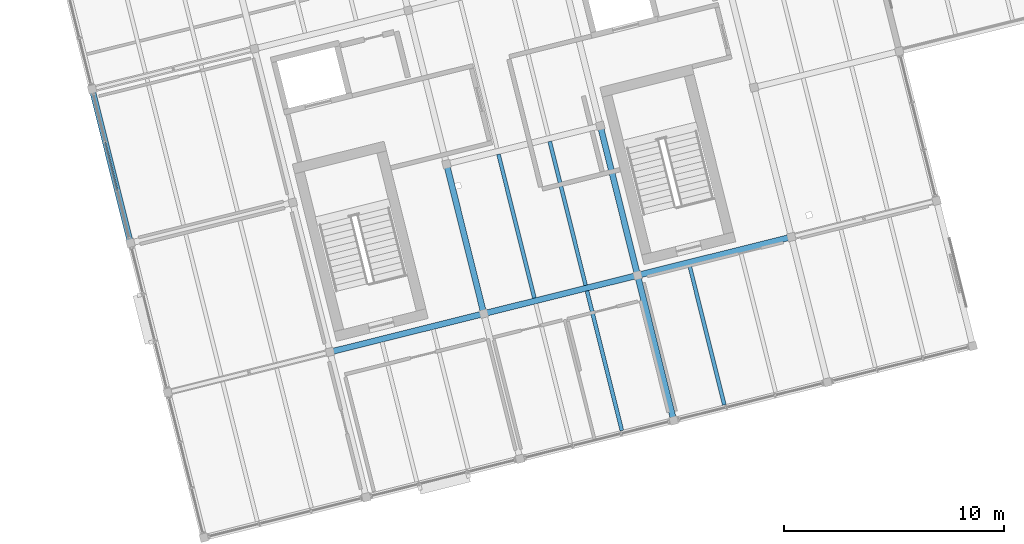
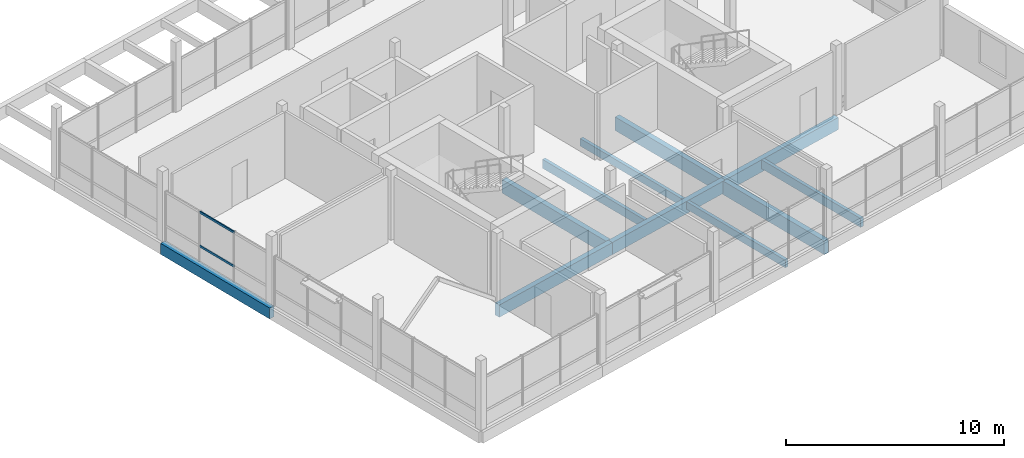
# One storey, part 7 of 28: 11 beams, 2 members, 1 element without a shape of its own.
"""IFC4 building model written with IfcOpenShell, lengths in metres."""

import ifcopenshell
import ifcopenshell.guid

model = None  # the IFC model being written
_history = None  # IfcOwnerHistory: only IFC2X3 demands one
_inside = {}  # id of a spatial element -> (the spatial element, [elements in it])
_under = {}  # id of a project, library or spatial element -> (it, [spatial elements below it])
_declared = {}  # id of a project -> (the project, [libraries it declares])
_typed = {}  # id of a type object -> (the type object, [elements of that type])
_made_of = {}  # id of a material, layer set ... -> (it, [elements and type objects made of it])


def new_model(schema):
    """Start an empty IFC model of exactly this schema.

    Asked for "IFC4X3", IfcOpenShell would pick the latest addendum, in which some entities
    have other attributes; the version numbers below select the first issue.
    IFC2X3 requires an IfcOwnerHistory on every rooted entity: one is made here for all.
    """
    global model, _history
    if schema == "IFC4X3":
        model = ifcopenshell.file(schema_version=(4, 3, 0, 0))
    else:
        model = ifcopenshell.file(schema=schema)
    _inside.clear()
    _under.clear()
    _declared.clear()
    _typed.clear()
    _made_of.clear()
    _history = None
    if model.schema == "IFC2X3":
        org = make("IfcOrganization", Name="unknown")
        user = make(
            "IfcPersonAndOrganization",
            ThePerson=make("IfcPerson", FamilyName="unknown"),
            TheOrganization=org,
        )
        app = make(
            "IfcApplication",
            ApplicationDeveloper=org,
            Version="unknown",
            ApplicationFullName="unknown",
            ApplicationIdentifier="unknown",
        )
        _history = make(
            "IfcOwnerHistory",
            OwningUser=user,
            OwningApplication=app,
            ChangeAction="ADDED",
            CreationDate=0,
        )
    return model


def make(cls, **values):
    """One entity of the class cls with the attributes given. An attribute that is None is left unset."""
    return model.create_entity(
        cls, **{name: value for name, value in values.items() if value is not None}
    )


def rooted(cls, **values):
    """An entity with a GlobalId (a new one), such as an element, a storey or a relation."""
    return make(cls, GlobalId=ifcopenshell.guid.new(), OwnerHistory=_history, **values)


def si_unit(unit_type, name, prefix=None):
    """IfcSIUnit, for example si_unit("LENGTHUNIT", "METRE", prefix="MILLI")."""
    return make("IfcSIUnit", UnitType=unit_type, Prefix=prefix, Name=name)


def assignment(units):
    """IfcUnitAssignment: the units of a project."""
    return None if units is None else make("IfcUnitAssignment", Units=units)


def point(xyz):
    """IfcCartesianPoint."""
    return None if xyz is None else make("IfcCartesianPoint", Coordinates=xyz)


def direction(xyz):
    """IfcDirection."""
    return None if xyz is None else make("IfcDirection", DirectionRatios=xyz)


def frame(location, z_axis=None, x_axis=None):
    """IfcAxis2Placement3D, a coordinate frame: its origin and axes. An axis left out is left unset."""
    return make(
        "IfcAxis2Placement3D",
        Location=point(location),
        Axis=direction(z_axis),
        RefDirection=direction(x_axis),
    )


def frame_2d(location, x_axis=None):
    """IfcAxis2Placement2D, a coordinate frame in the plane: its origin and x axis."""
    return make(
        "IfcAxis2Placement2D", Location=point(location), RefDirection=direction(x_axis)
    )


def origin():
    """The frame at (0, 0, 0) with its axes left unset."""
    return frame((0.0, 0.0, 0.0))


def origin_2d():
    """The frame at (0, 0) in the plane with its x axis left unset."""
    return frame_2d((0.0, 0.0))


def place(relative_to, where):
    """IfcLocalPlacement: puts the frame where relative to a parent placement (None: the world)."""
    return make(
        "IfcLocalPlacement", PlacementRelTo=relative_to, RelativePlacement=where
    )


def context(
    kind, dimensions, precision=None, world=None, true_north=None, identifier=None
):
    """IfcGeometricRepresentationContext, for example the 3D "Model" context."""
    return make(
        "IfcGeometricRepresentationContext",
        ContextIdentifier=identifier,
        ContextType=kind,
        CoordinateSpaceDimension=dimensions,
        Precision=precision,
        WorldCoordinateSystem=world,
        TrueNorth=true_north,
    )


def subcontext(parent, identifier, kind, view, scale=None):
    """IfcGeometricRepresentationSubContext, for example "Body" below "Model"."""
    return make(
        "IfcGeometricRepresentationSubContext",
        ContextIdentifier=identifier,
        ContextType=kind,
        ParentContext=parent,
        TargetScale=scale,
        TargetView=view,
    )


def project(units=None, contexts=None):
    """IfcProject with its units and contexts."""
    return rooted(
        "IfcProject",
        Name="project",
        RepresentationContexts=contexts,
        UnitsInContext=assignment(units),
    )


def spatial(cls, under=None, at=None, **own):
    """A site, building, storey or space (cls), placed at a placement, below another one or the project."""
    s = rooted(cls, ObjectPlacement=at, **own)
    if under is not None:
        _under.setdefault(under.id(), (under, []))[1].append(s)
    return s


def profile(cls, at=None, kind="AREA", **sizes):
    """A parametric profile (cls). Its sizes go by their IFC names, for example OverallWidth=200.0."""
    return make(cls, ProfileType=kind, Position=at, **sizes)


def rectangle(**sizes):
    """IfcRectangleProfileDef."""
    return profile("IfcRectangleProfileDef", **sizes)


def hollow_rectangle(**sizes):
    """IfcRectangleHollowProfileDef."""
    return profile("IfcRectangleHollowProfileDef", **sizes)


def extrude(swept, where, along, depth):
    """IfcExtrudedAreaSolid: the profile swept, set in the frame where, extruded along a direction by depth."""
    return make(
        "IfcExtrudedAreaSolid",
        SweptArea=swept,
        Position=where,
        ExtrudedDirection=direction(along),
        Depth=depth,
    )


def shape(context_of_items, identifier, shape_type, items):
    """IfcShapeRepresentation: the items that make up one representation, for example the "Body"."""
    return make(
        "IfcShapeRepresentation",
        ContextOfItems=context_of_items,
        RepresentationIdentifier=identifier,
        RepresentationType=shape_type,
        Items=items,
    )


def material(Name=None, Category=None):
    """IfcMaterial."""
    return make("IfcMaterial", Name=Name, Category=Category)


def layer(
    of_material, thickness, ventilated=None, Name=None, Category=None, Priority=None
):
    """IfcMaterialLayer: one layer of a wall or slab, of a material (None: an air gap)."""
    return make(
        "IfcMaterialLayer",
        Material=of_material,
        LayerThickness=thickness,
        IsVentilated=ventilated,
        Name=Name,
        Category=Category,
        Priority=Priority,
    )


def layer_set(layers, Name=None):
    """IfcMaterialLayerSet."""
    return make("IfcMaterialLayerSet", MaterialLayers=layers, LayerSetName=Name)


def material_profile(
    of_material, cross_section, Name=None, Category=None, Priority=None
):
    """IfcMaterialProfile: a cross section and its material."""
    return make(
        "IfcMaterialProfile",
        Name=Name,
        Material=of_material,
        Profile=cross_section,
        Priority=Priority,
        Category=Category,
    )


def profile_set(profiles, Name=None, composite=None):
    """IfcMaterialProfileSet."""
    return make(
        "IfcMaterialProfileSet",
        Name=Name,
        MaterialProfiles=profiles,
        CompositeProfile=composite,
    )


def made_of(thing, what):
    """Note that an element or type object is made of a material, layer set ...; save() writes the relation."""
    if what is not None:
        _made_of.setdefault(what.id(), (what, []))[1].append(thing)
    return thing


def type_object(cls, material=None, **own):
    """A type object (cls), such as IfcWallType, which elements share."""
    return made_of(rooted(cls, **own), material)


def element(
    cls,
    number,
    at=None,
    inside=None,
    cuts=None,
    type_object=None,
    material=None,
    context=None,
    identifier="Body",
    shape_type=None,
    held_by="IfcProductDefinitionShape",
    body=None,
    shapes=None,
    **own,
):
    """One element of the class cls, such as IfcWall. Its Tag is "e" and its number.

    at: its placement. inside: the storey or other place that contains it. cuts: it is an
    opening in that element (IfcRelVoidsElement). A single representation is given by context,
    identifier, shape_type and body (its items); several are given by shapes. held_by: the class
    of the entity that holds the representations. save() writes the other relations.
    """
    e = rooted(cls, Tag="e%d" % number, ObjectPlacement=at, **own)
    if body is not None:
        shapes = [shape(context, identifier, shape_type, body)]
    if shapes is not None:
        e.Representation = make(held_by, Representations=shapes)
    if inside is not None:
        _inside.setdefault(inside.id(), (inside, []))[1].append(e)
    if cuts is not None:
        rooted(
            "IfcRelVoidsElement", RelatingBuildingElement=cuts, RelatedOpeningElement=e
        )
    if type_object is not None:
        _typed.setdefault(type_object.id(), (type_object, []))[1].append(e)
    return made_of(e, material)


def aggregate(whole, parts):
    """IfcRelAggregates: a whole, such as a stair, and the parts it consists of."""
    return rooted("IfcRelAggregates", RelatingObject=whole, RelatedObjects=parts)


def save(model, path):
    """Write the relations noted so far, then the file.

    IfcRelAggregates (storeys below a building ...), IfcRelContainedInSpatialStructure (elements
    in a storey), IfcRelDefinesByType, IfcRelAssociatesMaterial and IfcRelDeclares: one each for
    every whole, place, type object, material and project.
    """
    for whole, parts in _under.values():
        aggregate(whole, parts)
    for where, things in _inside.values():
        rooted(
            "IfcRelContainedInSpatialStructure",
            RelatedElements=things,
            RelatingStructure=where,
        )
    for kind, things in _typed.values():
        rooted("IfcRelDefinesByType", RelatedObjects=things, RelatingType=kind)
    for what, things in _made_of.values():
        rooted("IfcRelAssociatesMaterial", RelatedObjects=things, RelatingMaterial=what)
    for by, libraries in _declared.values():
        rooted("IfcRelDeclares", RelatingContext=by, RelatedDefinitions=libraries)
    model.write(path)


model = new_model("IFC4")

# Units and contexts
model_context = context("Model", 3, precision=1e-05, world=origin(), true_north=direction((0.0, 1.0)))
body_context = subcontext(model_context, "Body", "Model", "MODEL_VIEW")
ifc_project = project(units=[si_unit("LENGTHUNIT", "METRE"), si_unit("AREAUNIT", "SQUARE_METRE"), si_unit("VOLUMEUNIT", "CUBIC_METRE"), si_unit("PLANEANGLEUNIT", "RADIAN"), si_unit("MASSUNIT", "GRAM", prefix="KILO")], contexts=[model_context])

# Site, building, storey
site_placement = place(None, origin())
site = spatial("IfcSite", under=ifc_project, at=site_placement, CompositionType="ELEMENT")
building_placement = place(site_placement, origin())
building = spatial("IfcBuilding", under=site, at=building_placement, Name="Meriwether Solvik Hall", CompositionType="ELEMENT")
storey_placement = place(building_placement, frame((0.0, 0.0, 45.60009765625)))
storey = spatial("IfcBuildingStorey", under=building, at=storey_placement, Name="L11", CompositionType="ELEMENT", Elevation=45.60009765625)

# Beams
ifc_material_1 = material(Name="Glulam Douglas-Fir 24F-V8 GL28h", Category="wood")
ifc_material_profile_1 = material_profile(ifc_material_1, rectangle(XDim=0.27294921875, YDim=0.610107421875, at=origin_2d()), Name="GLB-273X610")
ifc_profile_set_1 = profile_set([ifc_material_profile_1], Name="Glulam Douglas-Fir 24F-V8 GL28h")
beam_type_1 = type_object("IfcBeamType", Name="BM-GL-273X610", PredefinedType="SPANDREL", material=ifc_profile_set_1)
beam_1_placement = place(storey_placement, frame((65.261474609375, 54.590087890625, -0.505126953125), z_axis=(-0.241937193493, 0.970291911955, 0.0), x_axis=(-0.970291911955, -0.241937193493, 0.0)))
element("IfcBeam", 1, at=beam_1_placement, inside=storey, type_object=beam_type_1, Name="Tower Girder T1:TC-TD (L11)", PredefinedType="SPANDREL", context=body_context, shape_type="SweptSolid", body=[
    extrude(rectangle(XDim=0.27294921875, YDim=0.610107421875, at=origin_2d()), origin(), (0.0, 0.0, 1.0), 7.199951171875),
])
ifc_material_2 = material(Name="Glulam Douglas-Fir 24F-V8 GL28h", Category="wood")
ifc_material_profile_2 = material_profile(ifc_material_2, rectangle(XDim=0.27294921875, YDim=0.68505859375, at=origin_2d()), Name="GLB-273X685")
ifc_profile_set_2 = profile_set([ifc_material_profile_2], Name="Glulam Douglas-Fir 24F-V8 GL28h")
beam_type_2 = type_object("IfcBeamType", Name="BM-GL-273X685", PredefinedType="BEAM", material=ifc_profile_set_2)
beam_2_placement = place(storey_placement, frame((74.3291015625, 49.63671875, -0.54248046875), z_axis=(0.970301855688, 0.241897310542, 0.0), x_axis=(-0.241897310542, 0.970301855688, 0.0)))
element("IfcBeam", 2, at=beam_2_placement, inside=storey, type_object=beam_type_2, Name="Tower Girder TB:T2-T3 (L11)", PredefinedType="BEAM", context=body_context, shape_type="SweptSolid", body=[
    extrude(rectangle(XDim=0.27294921875, YDim=0.68505859375, at=origin_2d()), origin(), (0.0, 0.0, 1.0), 7.2001953125),
])
for number, where, z_axis, x_axis, name in (
    (3, (81.3154296875, 51.37841796875, -0.54248046875), (0.970291911955, 0.241937193493, 0.0), (-0.241937193493, 0.970291911955, 0.0), "Tower Girder TB:T3-T4 (L11)"),
    (4, (88.301513671875, 53.120361328125, -0.54248046875), (0.970299871507, 0.241905269381, 0.0), (-0.241905269381, 0.970299871507, 0.0), "Tower Girder TB:T4-T5 (L11)"),
):
    element("IfcBeam", number, at=place(storey_placement, frame(where, z_axis=z_axis, x_axis=x_axis)), inside=storey, type_object=beam_type_2, Name=name, PredefinedType="BEAM", context=body_context, shape_type="SweptSolid", body=[
        extrude(rectangle(XDim=0.27294921875, YDim=0.68505859375, at=origin_2d()), origin(), (0.0, 0.0, 1.0), 7.199951171875),
    ])
ifc_material_3 = material(Name="Glulam Douglas-Fir 24F-V8 GL28h", Category="wood")
ifc_material_profile_3 = material_profile(ifc_material_3, rectangle(XDim=0.27294921875, YDim=0.760009765625, at=origin_2d()), Name="GLB-273X760")
ifc_profile_set_3 = profile_set([ifc_material_profile_3], Name="Glulam Douglas-Fir 24F-V8 GL28h")
beam_type_3 = type_object("IfcBeamType", Name="BM-GL-273X760", PredefinedType="BEAM", material=ifc_profile_set_3)
beam_3_placement = place(storey_placement, frame((81.3154296875, 51.37841796875, -0.580078125), z_axis=(-0.241944715397, 0.970290036376, 0.0), x_axis=(-0.970290036376, -0.241944715397, 0.0)))
element("IfcBeam", 5, at=beam_3_placement, inside=storey, type_object=beam_type_3, Name="Tower Girder T3:TB-TC (L11)", PredefinedType="BEAM", context=body_context, shape_type="SweptSolid", body=[
    extrude(rectangle(XDim=0.27294921875, YDim=0.760009765625, at=origin_2d()), origin(), (0.0, 0.0, 1.0), 7.0),
])
beam_4_placement = place(storey_placement, frame((89.946533203125, 46.522216796875, -0.580078125), z_axis=(-0.24191045034, 0.970298579828, 0.0), x_axis=(-0.970298579828, -0.24191045034, 0.0)))
element("IfcBeam", 6, at=beam_4_placement, inside=storey, type_object=beam_type_3, Name="Tower Girder T4:TA-TB (L11)", PredefinedType="BEAM", context=body_context, shape_type="SweptSolid", body=[
    extrude(rectangle(XDim=0.27294921875, YDim=0.760009765625, at=origin_2d()), origin(), (0.0, 0.0, 1.0), 6.800048828125),
])
beam_5_placement = place(storey_placement, frame((88.301513671875, 53.120361328125, -0.580078125), z_axis=(-0.241944715397, 0.970290036376, 0.0), x_axis=(-0.970290036376, -0.241944715397, 0.0)))
element("IfcBeam", 7, at=beam_5_placement, inside=storey, type_object=beam_type_3, Name="Tower Girder T4:TB-TC (L11)", PredefinedType="BEAM", context=body_context, shape_type="SweptSolid", body=[
    extrude(rectangle(XDim=0.27294921875, YDim=0.760009765625, at=origin_2d()), origin(), (0.0, 0.0, 1.0), 7.0),
])

# Curtain wall, members
ifc_material_4 = material(Name="Thermally Broken Anodised Aluminium 6063-T6 and Low-E Glass", Category="aluminium")
ifc_layer = layer(ifc_material_4, 0.179931640625)
ifc_layer_set = layer_set([ifc_layer], Name="Thermally Broken Anodised Aluminium 6063-T6 and Low-E Glass")
curtain_wall_type = type_object("IfcCurtainWallType", Name="CW-UNIT-G", PredefinedType="USERDEFINED", material=ifc_layer_set)
curtain_wall_placement = place(storey_placement, origin())
curtain_wall = element("IfcCurtainWall", 8, at=curtain_wall_placement, inside=storey, type_object=curtain_wall_type, Name="Curtain Wall E3_B2 (L11)", ObjectType="UNITISED CURTAIN WALL", PredefinedType="USERDEFINED")
ifc_material_5 = material(Name="Anodised Aluminium 6063-T6", Category="aluminium")
ifc_material_profile_4 = material_profile(ifc_material_5, hollow_rectangle(XDim=0.06005859375, YDim=0.1201171875, WallThickness=0.00390625, at=origin_2d()), Name="CWT-60X120")
ifc_profile_set_4 = profile_set([ifc_material_profile_4], Name="Anodised Aluminium 6063-T6")
member_type = type_object("IfcMemberType", Name="CW-TRN-60X120", PredefinedType="USERDEFINED", material=ifc_profile_set_4)
member_1_placement = place(storey_placement, frame((64.665283203125, 56.981689453125, 0.8369140625), z_axis=(-0.241953627576, 0.970287814054, 0.0), x_axis=(-0.970287814054, -0.241953627576, 0.0)))
member_1 = element("IfcMember", 9, at=member_1_placement, type_object=member_type, Name="Curtain Wall Transom 2-sill", ObjectType="TRANSOM", PredefinedType="USERDEFINED", context=body_context, shape_type="SweptSolid", body=[
    extrude(hollow_rectangle(XDim=0.06005859375, YDim=0.1201171875, WallThickness=0.00390625, at=origin_2d()), origin(), (0.0, 0.0, 1.0), 2.270263671875),
])
member_2_placement = place(storey_placement, frame((64.665283203125, 56.981689453125, 2.72998046875), z_axis=(-0.241953627576, 0.970287814054, 0.0), x_axis=(-0.970287814054, -0.241953627576, 0.0)))
member_2 = element("IfcMember", 10, at=member_2_placement, type_object=member_type, Name="Curtain Wall Transom 2-head", ObjectType="TRANSOM", PredefinedType="USERDEFINED", context=body_context, shape_type="SweptSolid", body=[
    extrude(hollow_rectangle(XDim=0.06005859375, YDim=0.1201171875, WallThickness=0.00390625, at=origin_2d()), origin(), (0.0, 0.0, 1.0), 2.270263671875),
])
aggregate(curtain_wall, [member_1, member_2])

# Beams
ifc_material_6 = material(Name="Glulam Douglas-Fir 24F-V8 GL28h", Category="wood")
ifc_material_profile_5 = material_profile(ifc_material_6, rectangle(XDim=0.175048828125, YDim=0.419921875, at=origin_2d()), Name="GLJ-175X420")
ifc_profile_set_5 = profile_set([ifc_material_profile_5], Name="Glulam Douglas-Fir 24F-V8 GL28h")
beam_type_4 = type_object("IfcBeamType", Name="JST-GL-175X420", PredefinedType="JOIST", material=ifc_profile_set_5)
beam_6_placement = place(storey_placement, frame((87.5859375, 46.0693359375, -0.41015625), z_axis=(-0.241902854765, 0.970300473491, 0.0), x_axis=(-0.970300473491, -0.241902854765, 0.0)))
element("IfcBeam", 11, at=beam_6_placement, inside=storey, type_object=beam_type_4, Name="Glulam Floor Joist T3/TA-J2 (L11)", PredefinedType="JOIST", context=body_context, shape_type="SweptSolid", body=[
    extrude(rectangle(XDim=0.175048828125, YDim=0.419921875, at=origin_2d()), origin(), (0.0, 0.0, 1.0), 6.536865234375),
])
beam_7_placement = place(storey_placement, frame((85.94091796875, 52.667236328125, -0.41015625), z_axis=(-0.241930176813, 0.9702936615, 0.0), x_axis=(-0.9702936615, -0.241930176813, 0.0)))
element("IfcBeam", 12, at=beam_7_placement, inside=storey, type_object=beam_type_4, Name="Glulam Floor Joist T3/TB-J2 (L11)", PredefinedType="JOIST", context=body_context, shape_type="SweptSolid", body=[
    extrude(rectangle(XDim=0.175048828125, YDim=0.419921875, at=origin_2d()), origin(), (0.0, 0.0, 1.0), 6.737060546875),
])
ifc_material_7 = material(Name="Glulam Douglas-Fir 24F-V8 GL28h", Category="wood")
ifc_material_profile_6 = material_profile(ifc_material_7, rectangle(XDim=0.175048828125, YDim=0.4951171875, at=origin_2d()), Name="GLJ-175X495")
ifc_profile_set_6 = profile_set([ifc_material_profile_6], Name="Glulam Douglas-Fir 24F-V8 GL28h")
beam_type_5 = type_object("IfcBeamType", Name="JST-GL-175X495", PredefinedType="JOIST", material=ifc_profile_set_6)
beam_8_placement = place(storey_placement, frame((83.6123046875, 52.086669921875, -0.447509765625), z_axis=(-0.241930176813, 0.9702936615, 0.0), x_axis=(-0.9702936615, -0.241930176813, 0.0)))
element("IfcBeam", 13, at=beam_8_placement, inside=storey, type_object=beam_type_5, Name="Glulam Floor Joist T3/TB-J1 (L11)", PredefinedType="JOIST", context=body_context, shape_type="SweptSolid", body=[
    extrude(rectangle(XDim=0.175048828125, YDim=0.4951171875, at=origin_2d()), origin(), (0.0, 0.0, 1.0), 6.737060546875),
])
beam_9_placement = place(storey_placement, frame((92.243408203125, 47.23046875, -0.447509765625), z_axis=(-0.241938016776, 0.970291706673, 0.0), x_axis=(-0.970291706673, -0.241938016776, 0.0)))
element("IfcBeam", 14, at=beam_9_placement, inside=storey, type_object=beam_type_5, Name="Glulam Floor Joist T4/TA-J1 (L11)", PredefinedType="JOIST", context=body_context, shape_type="SweptSolid", body=[
    extrude(rectangle(XDim=0.175048828125, YDim=0.4951171875, at=origin_2d()), origin(), (0.0, 0.0, 1.0), 6.536865234375),
])

save(model, "model.ifc")
